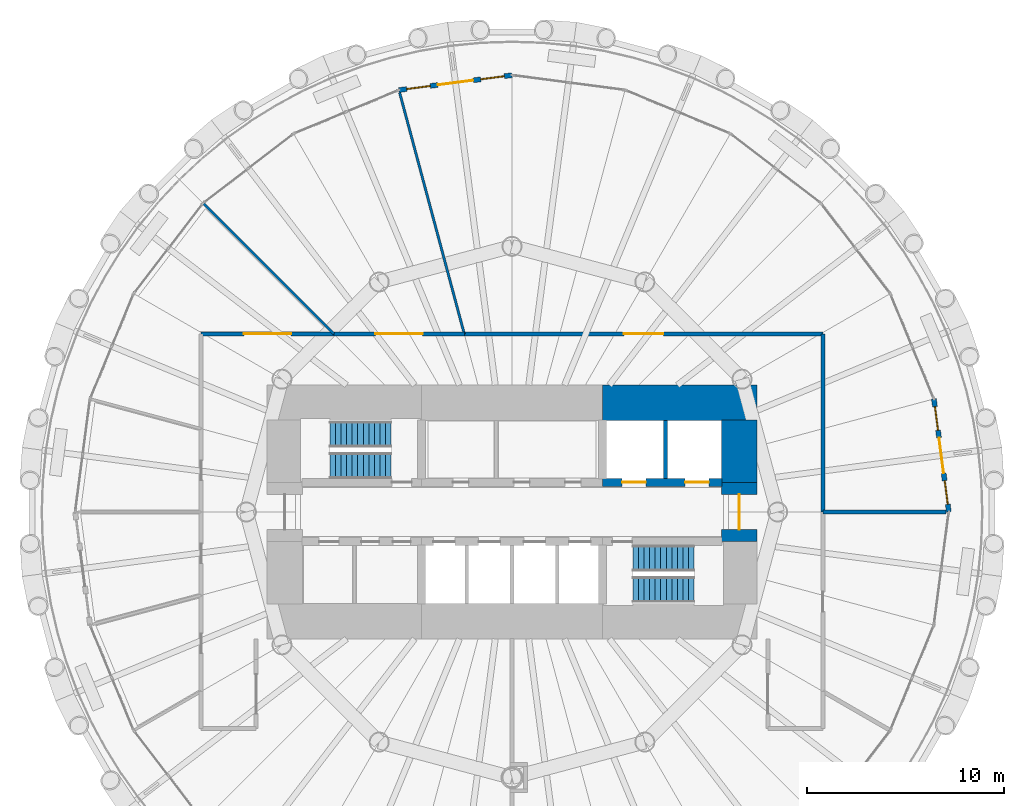
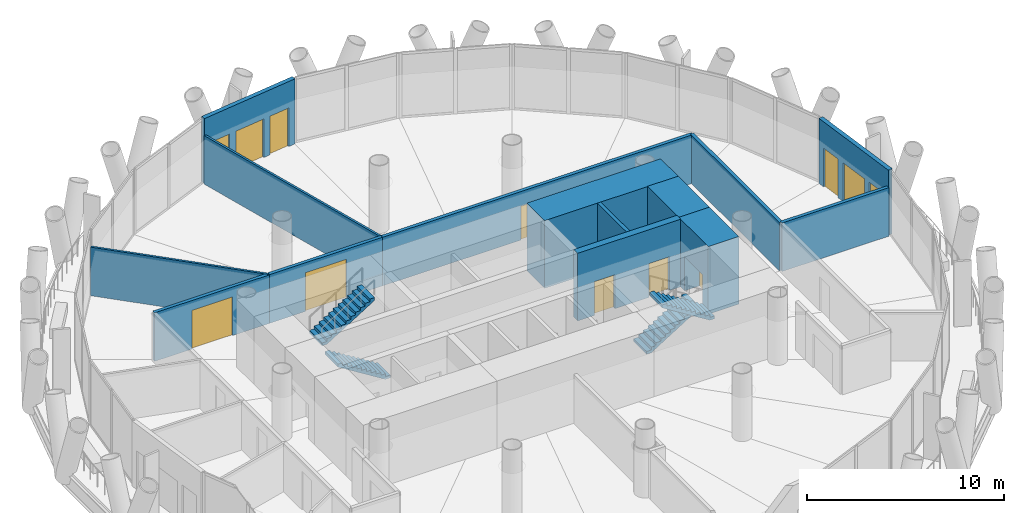
# One storey, part 10 of 14: 14 walls, 8 doors, 4 stair flights, 4 windows, 12 openings, 2 elements without a shape of their own.
"""IFC4 building model written with IfcOpenShell, lengths in metres."""

from ifc_helpers import new_model, si_unit, direction, frame, frame_2d, origin, place, context, subcontext, project, spatial, polyline, rectangle, outline, extrude, material, layer, layer_set, type_object, element, fill, aggregate, save


model = new_model("IFC4")

# Units and contexts
model_context = context("Model", 3, precision=1e-05, world=origin(), true_north=direction((0.0, 1.0)))
body_context = subcontext(model_context, "Body", "Model", "MODEL_VIEW")
ifc_project = project(units=[si_unit("LENGTHUNIT", "METRE"), si_unit("AREAUNIT", "SQUARE_METRE"), si_unit("VOLUMEUNIT", "CUBIC_METRE"), si_unit("PLANEANGLEUNIT", "RADIAN"), si_unit("MASSUNIT", "GRAM", prefix="KILO")], contexts=[model_context])

# Site, building, storey
site_placement = place(None, origin())
site = spatial("IfcSite", under=ifc_project, at=site_placement, CompositionType="ELEMENT")
building_placement = place(site_placement, origin())
building = spatial("IfcBuilding", under=site, at=building_placement, Name="Qaws Media Tower", CompositionType="ELEMENT")
storey_placement = place(building_placement, frame((0.0, 0.0, 168.800048828125)))
storey = spatial("IfcBuildingStorey", under=building, at=storey_placement, Name="L38", CompositionType="ELEMENT", Elevation=168.800048828125)

# Wall, openings, door, windows
ifc_material_1 = material(Name="Precast concrete, exposed finish", Category="concrete")
ifc_layer_1 = layer(ifc_material_1, 0.25)
ifc_layer_set_1 = layer_set([ifc_layer_1], Name="Balcony door wall 250")
wall_type_1 = type_object("IfcWallType", Name="Balcony door wall 250", PredefinedType="SOLIDWALL", material=ifc_layer_set_1)
wall_1_placement = place(storey_placement, frame((82.199951171875, 50.0, 0.0), z_axis=(0.0, 0.0, 1.0), x_axis=(-0.130507908945, 0.991447268241, 0.0)))
wall_1 = element("IfcWall", 1, at=wall_1_placement, inside=storey, type_object=wall_type_1, Name="W213 EW1 balcony door wall L38-01", PredefinedType="SOLIDWALL", context=body_context, shape_type="SweptSolid", body=[
    extrude(rectangle(XDim=5.79541015625, YDim=0.25, at=frame_2d((2.897705078125, 0.0))), origin(), (0.0, 0.0, 1.0), 4.0400390625),
])
opening_1_placement = place(wall_1_placement, frame((1.997802734375, 0.0, 0.0)))
opening_1 = element("IfcOpeningElement", 2, at=opening_1_placement, cuts=wall_1, Name="Opening D7", PredefinedType="OPENING", context=body_context, shape_type="SweptSolid", body=[
    extrude(rectangle(XDim=1.800048828125, YDim=2.39990234375, at=frame_2d((0.89990234375, 1.199951171875))), frame((0.0, 0.135009765625, 0.0), z_axis=(0.0, -1.0, 0.0), x_axis=(1.0, 0.0, 0.0)), (0.0, 0.0, 1.0), 0.27001953125),
])
opening_2_placement = place(wall_1_placement, frame((0.397705078125, 0.0, 0.0)))
opening_2 = element("IfcOpeningElement", 3, at=opening_2_placement, cuts=wall_1, Name="Opening W1", PredefinedType="OPENING", context=body_context, shape_type="SweptSolid", body=[
    extrude(rectangle(XDim=1.199951171875, YDim=2.39990234375, at=frame_2d((0.60009765625, 1.199951171875))), frame((0.0, 0.135009765625, 0.0), z_axis=(0.0, -1.0, 0.0), x_axis=(1.0, 0.0, 0.0)), (0.0, 0.0, 1.0), 0.27001953125),
])
opening_3_placement = place(wall_1_placement, frame((4.19775390625, 0.0, 0.0)))
opening_3 = element("IfcOpeningElement", 4, at=opening_3_placement, cuts=wall_1, Name="Opening W1", PredefinedType="OPENING", context=body_context, shape_type="SweptSolid", body=[
    extrude(rectangle(XDim=1.199951171875, YDim=2.39990234375, at=frame_2d((0.60009765625, 1.199951171875))), frame((0.0, 0.135009765625, 0.0), z_axis=(0.0, -1.0, 0.0), x_axis=(1.0, 0.0, 0.0)), (0.0, 0.0, 1.0), 0.27001953125),
])
ifc_material_2 = material(Name="Aluminium and clear glass", Category="aluminium")
door_type_1 = type_object("IfcDoorType", Name="Balcony door pair 1800", OperationType="DOUBLE_DOOR_SLIDING", PredefinedType="DOOR", material=ifc_material_2)
door_1_placement = place(opening_1_placement, origin())
door_1 = element("IfcDoor", 5, at=door_1_placement, inside=storey, type_object=door_type_1, Name="D7 balcony door L38-01 in wall W213", OperationType="DOUBLE_DOOR_SLIDING", OverallHeight=2.39990234375, OverallWidth=1.800048828125, PredefinedType="DOOR", context=body_context, shape_type="SweptSolid", body=[
    extrude(rectangle(XDim=1.800048828125, YDim=2.39990234375, at=frame_2d((0.89990234375, 1.199951171875))), frame((0.0, 0.02490234375, 0.0), z_axis=(0.0, -1.0, 0.0), x_axis=(1.0, 0.0, 0.0)), (0.0, 0.0, 1.0), 0.050048828125),
])
fill(opening_1, door_1)
ifc_material_3 = material(Name="Aluminium and clear glass", Category="aluminium")
window_type = type_object("IfcWindowType", Name="Balcony side window 1200", PartitioningType="SINGLE_PANEL", PredefinedType="WINDOW", material=ifc_material_3)
window_1_placement = place(opening_2_placement, origin())
window_1 = element("IfcWindow", 6, at=window_1_placement, inside=storey, type_object=window_type, Name="W1 balcony side light L38-01L", OverallHeight=2.39990234375, OverallWidth=1.199951171875, PartitioningType="SINGLE_PANEL", PredefinedType="WINDOW", context=body_context, shape_type="SweptSolid", body=[
    extrude(rectangle(XDim=1.199951171875, YDim=2.39990234375, at=frame_2d((0.60009765625, 1.199951171875))), frame((0.0, 0.030029296875, 0.0), z_axis=(0.0, -1.0, 0.0), x_axis=(1.0, 0.0, 0.0)), (0.0, 0.0, 1.0), 0.06005859375),
])
fill(opening_2, window_1)
window_2_placement = place(opening_3_placement, origin())
window_2 = element("IfcWindow", 7, at=window_2_placement, inside=storey, type_object=window_type, Name="W1 balcony side light L38-01R", OverallHeight=2.39990234375, OverallWidth=1.199951171875, PartitioningType="SINGLE_PANEL", PredefinedType="WINDOW", context=body_context, shape_type="SweptSolid", body=[
    extrude(rectangle(XDim=1.199951171875, YDim=2.39990234375, at=frame_2d((0.60009765625, 1.199951171875))), frame((0.0, 0.030029296875, 0.0), z_axis=(0.0, -1.0, 0.0), x_axis=(1.0, 0.0, 0.0)), (0.0, 0.0, 1.0), 0.06005859375),
])
fill(opening_3, window_2)

wall_2_placement = place(storey_placement, frame((60.0, 72.199951171875, 0.0), z_axis=(0.0, 0.0, 1.0), x_axis=(-0.991447268241, -0.130507908945, 0.0)))
wall_2 = element("IfcWall", 8, at=wall_2_placement, inside=storey, type_object=wall_type_1, Name="W212 EW1 balcony door wall L38-07", PredefinedType="SOLIDWALL", context=body_context, shape_type="SweptSolid", body=[
    extrude(rectangle(XDim=5.79541015625, YDim=0.25, at=frame_2d((2.897705078125, 0.0))), origin(), (0.0, 0.0, 1.0), 4.0400390625),
])
opening_4_placement = place(wall_2_placement, frame((1.997802734375, 0.0, 0.0)))
opening_4 = element("IfcOpeningElement", 9, at=opening_4_placement, cuts=wall_2, Name="Opening D7", PredefinedType="OPENING", context=body_context, shape_type="SweptSolid", body=[
    extrude(rectangle(XDim=1.800048828125, YDim=2.39990234375, at=frame_2d((0.89990234375, 1.199951171875))), frame((0.0, 0.135009765625, 0.0), z_axis=(0.0, -1.0, 0.0), x_axis=(1.0, 0.0, 0.0)), (0.0, 0.0, 1.0), 0.27001953125),
])
opening_5_placement = place(wall_2_placement, frame((0.397705078125, 0.0, 0.0)))
opening_5 = element("IfcOpeningElement", 10, at=opening_5_placement, cuts=wall_2, Name="Opening W1", PredefinedType="OPENING", context=body_context, shape_type="SweptSolid", body=[
    extrude(rectangle(XDim=1.199951171875, YDim=2.39990234375, at=frame_2d((0.60009765625, 1.199951171875))), frame((0.0, 0.135009765625, 0.0), z_axis=(0.0, -1.0, 0.0), x_axis=(1.0, 0.0, 0.0)), (0.0, 0.0, 1.0), 0.27001953125),
])
opening_6_placement = place(wall_2_placement, frame((4.19775390625, 0.0, 0.0)))
opening_6 = element("IfcOpeningElement", 11, at=opening_6_placement, cuts=wall_2, Name="Opening W1", PredefinedType="OPENING", context=body_context, shape_type="SweptSolid", body=[
    extrude(rectangle(XDim=1.199951171875, YDim=2.39990234375, at=frame_2d((0.60009765625, 1.199951171875))), frame((0.0, 0.135009765625, 0.0), z_axis=(0.0, -1.0, 0.0), x_axis=(1.0, 0.0, 0.0)), (0.0, 0.0, 1.0), 0.27001953125),
])
door_2_placement = place(opening_4_placement, origin())
door_2 = element("IfcDoor", 12, at=door_2_placement, inside=storey, type_object=door_type_1, Name="D7 balcony door L38-07 in wall W212", OperationType="DOUBLE_DOOR_SLIDING", OverallHeight=2.39990234375, OverallWidth=1.800048828125, PredefinedType="DOOR", context=body_context, shape_type="SweptSolid", body=[
    extrude(rectangle(XDim=1.800048828125, YDim=2.39990234375, at=frame_2d((0.89990234375, 1.199951171875))), frame((0.0, 0.02490234375, 0.0), z_axis=(0.0, -1.0, 0.0), x_axis=(1.0, 0.0, 0.0)), (0.0, 0.0, 1.0), 0.050048828125),
])
fill(opening_4, door_2)
window_3_placement = place(opening_5_placement, origin())
window_3 = element("IfcWindow", 13, at=window_3_placement, inside=storey, type_object=window_type, Name="W1 balcony side light L38-07L", OverallHeight=2.39990234375, OverallWidth=1.199951171875, PartitioningType="SINGLE_PANEL", PredefinedType="WINDOW", context=body_context, shape_type="SweptSolid", body=[
    extrude(rectangle(XDim=1.199951171875, YDim=2.39990234375, at=frame_2d((0.60009765625, 1.199951171875))), frame((0.0, 0.030029296875, 0.0), z_axis=(0.0, -1.0, 0.0), x_axis=(1.0, 0.0, 0.0)), (0.0, 0.0, 1.0), 0.06005859375),
])
fill(opening_5, window_3)
window_4_placement = place(opening_6_placement, origin())
window_4 = element("IfcWindow", 14, at=window_4_placement, inside=storey, type_object=window_type, Name="W1 balcony side light L38-07R", OverallHeight=2.39990234375, OverallWidth=1.199951171875, PartitioningType="SINGLE_PANEL", PredefinedType="WINDOW", context=body_context, shape_type="SweptSolid", body=[
    extrude(rectangle(XDim=1.199951171875, YDim=2.39990234375, at=frame_2d((0.60009765625, 1.199951171875))), frame((0.0, 0.030029296875, 0.0), z_axis=(0.0, -1.0, 0.0), x_axis=(1.0, 0.0, 0.0)), (0.0, 0.0, 1.0), 0.06005859375),
])
fill(opening_6, window_4)

# Wall, openings, doors
ifc_material_4 = material(Name="Concrete C60/75", Category="concrete")
ifc_layer_2 = layer(ifc_material_4, 0.39990234375)
ifc_layer_set_2 = layer_set([ifc_layer_2], Name="Core inner wall 400")
wall_type_2 = type_object("IfcWallType", Name="Core inner wall 400", PredefinedType="SHEAR", material=ifc_layer_set_2)
wall_3_placement = place(storey_placement, frame((64.60009765625, 51.5, 0.0), z_axis=(0.0, 0.0, 1.0), x_axis=(1.0, 0.0, 0.0)))
wall_3 = element("IfcWall", 15, at=wall_3_placement, inside=storey, type_object=wall_type_2, Name="W326 SW4 core wall SPNE L38", PredefinedType="SHEAR", context=body_context, shape_type="SweptSolid", body=[
    extrude(rectangle(XDim=6.06982421875, YDim=0.39990234375, at=frame_2d((3.034912109375, 0.0))), origin(), (0.0, 0.0, 1.0), 4.199951171875),
])
opening_7_placement = place(wall_3_placement, frame((1.0, 0.0, 0.0)))
opening_7 = element("IfcOpeningElement", 16, at=opening_7_placement, cuts=wall_3, Name="Opening LD2", PredefinedType="OPENING", context=body_context, shape_type="SweptSolid", body=[
    extrude(rectangle(XDim=1.199951171875, YDim=2.10009765625, at=frame_2d((0.60009765625, 1.050048828125))), frame((0.0, 0.2099609375, 0.0), z_axis=(0.0, -1.0, 0.0), x_axis=(1.0, 0.0, 0.0)), (0.0, 0.0, 1.0), 0.419921875),
])
opening_8_placement = place(wall_3_placement, frame((4.199951171875, 0.0, 0.0)))
opening_8 = element("IfcOpeningElement", 17, at=opening_8_placement, cuts=wall_3, Name="Opening LD2", PredefinedType="OPENING", context=body_context, shape_type="SweptSolid", body=[
    extrude(rectangle(XDim=1.199951171875, YDim=2.10009765625, at=frame_2d((0.60009765625, 1.050048828125))), frame((0.0, 0.2099609375, 0.0), z_axis=(0.0, -1.0, 0.0), x_axis=(1.0, 0.0, 0.0)), (0.0, 0.0, 1.0), 0.419921875),
])
ifc_material_5 = material(Name="Steel, fire rated", Category="steel")
door_type_2 = type_object("IfcDoorType", Name="Lift landing door 1200", OperationType="SLIDING_TO_LEFT", PredefinedType="DOOR", material=ifc_material_5)
door_3_placement = place(opening_7_placement, origin())
door_3 = element("IfcDoor", 18, at=door_3_placement, inside=storey, type_object=door_type_2, Name="FL1 landing door L38 in wall W326", OperationType="SLIDING_TO_LEFT", OverallHeight=2.10009765625, OverallWidth=1.199951171875, PredefinedType="DOOR", context=body_context, shape_type="SweptSolid", body=[
    extrude(rectangle(XDim=1.199951171875, YDim=2.10009765625, at=frame_2d((0.60009765625, 1.050048828125))), frame((0.0, 0.02490234375, 0.0), z_axis=(0.0, -1.0, 0.0), x_axis=(1.0, 0.0, 0.0)), (0.0, 0.0, 1.0), 0.050048828125),
])
fill(opening_7, door_3)
door_4_placement = place(opening_8_placement, origin())
door_4 = element("IfcDoor", 19, at=door_4_placement, inside=storey, type_object=door_type_2, Name="FL2 landing door L38 in wall W326", OperationType="SLIDING_TO_LEFT", OverallHeight=2.10009765625, OverallWidth=1.199951171875, PredefinedType="DOOR", context=body_context, shape_type="SweptSolid", body=[
    extrude(rectangle(XDim=1.199951171875, YDim=2.10009765625, at=frame_2d((0.60009765625, 1.050048828125))), frame((0.0, 0.02490234375, 0.0), z_axis=(0.0, -1.0, 0.0), x_axis=(1.0, 0.0, 0.0)), (0.0, 0.0, 1.0), 0.050048828125),
])
fill(opening_8, door_4)

# Wall
ifc_material_6 = material(Name="Concrete C60/75", Category="concrete")
ifc_layer_3 = layer(ifc_material_6, 1.800048828125)
ifc_layer_set_3 = layer_set([ifc_layer_3], Name="Core wall 1800")
wall_type_3 = type_object("IfcWallType", Name="Core wall 1800", PredefinedType="SHEAR", material=ifc_layer_set_3)
wall_4_placement = place(storey_placement, frame((64.60009765625, 55.550048828125, 0.0), z_axis=(0.0, 0.0, 1.0), x_axis=(1.0, 0.0, 0.0)))
element("IfcWall", 20, at=wall_4_placement, inside=storey, type_object=wall_type_3, Name="W423 SW11 core wall NE L38", PredefinedType="SHEAR", context=body_context, shape_type="SweptSolid", body=[
    extrude(rectangle(XDim=7.849853515625, YDim=1.800048828125, at=frame_2d((3.9248046875, 0.0))), origin(), (0.0, 0.0, 1.0), 4.199951171875),
])

# Wall, opening, door
wall_5_placement = place(storey_placement, frame((71.550048828125, 48.5, 0.0), z_axis=(0.0, 0.0, 1.0), x_axis=(0.0, 1.0, 0.0)))
wall_5 = element("IfcWall", 21, at=wall_5_placement, inside=storey, type_object=wall_type_3, Name="W427 SW11 core wall E L38", PredefinedType="SHEAR", context=body_context, shape_type="SweptSolid", body=[
    extrude(rectangle(XDim=3.0, YDim=1.800048828125, at=frame_2d((1.5, 0.0))), origin(), (0.0, 0.0, 1.0), 4.199951171875),
])
opening_9_placement = place(wall_5_placement, frame((0.60009765625, 0.0, 0.0)))
opening_9 = element("IfcOpeningElement", 22, at=opening_9_placement, cuts=wall_5, Name="Opening D2", PredefinedType="OPENING", context=body_context, shape_type="SweptSolid", body=[
    extrude(rectangle(XDim=1.800048828125, YDim=2.10009765625, at=frame_2d((0.89990234375, 1.050048828125))), frame((0.0, 0.909912109375, 0.0), z_axis=(0.0, -1.0, 0.0), x_axis=(1.0, 0.0, 0.0)), (0.0, 0.0, 1.0), 1.820068359375),
])
ifc_material_7 = material(Name="Steel and glass, fire rated", Category="steel")
door_type_3 = type_object("IfcDoorType", Name="Lobby door pair 1800 FD60", OperationType="DOUBLE_DOOR_DOUBLE_SWING", PredefinedType="DOOR", material=ifc_material_7)
door_5_placement = place(opening_9_placement, origin())
door_5 = element("IfcDoor", 23, at=door_5_placement, inside=storey, type_object=door_type_3, Name="D2 core lobby door E L38 in wall W427", OperationType="DOUBLE_DOOR_DOUBLE_SWING", OverallHeight=2.10009765625, OverallWidth=1.800048828125, PredefinedType="DOOR", context=body_context, shape_type="SweptSolid", body=[
    extrude(rectangle(XDim=1.800048828125, YDim=2.10009765625, at=frame_2d((0.89990234375, 1.050048828125))), frame((0.0, 0.02490234375, 0.0), z_axis=(0.0, -1.0, 0.0), x_axis=(1.0, 0.0, 0.0)), (0.0, 0.0, 1.0), 0.050048828125),
])
fill(opening_9, door_5)

# Walls
wall_6_placement = place(storey_placement, frame((71.550048828125, 51.5, 0.0), z_axis=(0.0, 0.0, 1.0), x_axis=(0.0, 1.0, 0.0)))
element("IfcWall", 24, at=wall_6_placement, inside=storey, type_object=wall_type_3, Name="W425 SW11 core wall EN L38", PredefinedType="SHEAR", context=body_context, shape_type="SweptSolid", body=[
    extrude(rectangle(XDim=3.169921875, YDim=1.800048828125, at=frame_2d((1.5849609375, 0.0))), origin(), (0.0, 0.0, 1.0), 4.199951171875),
])
ifc_material_8 = material(Name="Two layers gypsum board each side on 75 studs, insulated", Category="gypsum")
ifc_layer_4 = layer(ifc_material_8, 0.125)
ifc_layer_set_4 = layer_set([ifc_layer_4], Name="Meeting room partition 125 Rw 48")
wall_type_4 = type_object("IfcWallType", Name="Meeting room partition 125 Rw 48", PredefinedType="PARTITIONING", material=ifc_layer_set_4)
wall_7_placement = place(storey_placement, frame((57.577392578125, 59.041015625, 0.0), z_axis=(0.0, 0.0, 1.0), x_axis=(-0.258807511023, 0.965928916763, 0.0)))
element("IfcWall", 25, at=wall_7_placement, inside=storey, type_object=wall_type_4, Name="W583 IW5 partition L38", PredefinedType="PARTITIONING", context=body_context, shape_type="SweptSolid", body=[
    extrude(rectangle(XDim=12.699951171875, YDim=0.125, at=frame_2d((6.35009765625, 0.0))), origin(), (0.0, 0.0, 1.0), 3.011962890625),
])
wall_8_placement = place(storey_placement, frame((50.948974609375, 59.051025390625, 0.0), z_axis=(0.0, 0.0, 1.0), x_axis=(-0.707106781187, 0.707106781187, 0.0)))
element("IfcWall", 26, at=wall_8_placement, inside=storey, type_object=wall_type_4, Name="W582 IW5 partition L38", PredefinedType="PARTITIONING", context=body_context, shape_type="SweptSolid", body=[
    extrude(rectangle(XDim=9.35986328125, YDim=0.125, at=frame_2d((4.679931640625, 0.0))), origin(), (0.0, 0.0, 1.0), 3.011962890625),
])

# Wall, opening, door
ifc_material_9 = material(Name="Gypsum board on galvanised metal studs, acoustic double stud, deflection head", Category="gypsum")
ifc_layer_5 = layer(ifc_material_9, 0.199951171875)
ifc_layer_set_5 = layer_set([ifc_layer_5], Name="Room partition 200")
wall_type_5 = type_object("IfcWallType", Name="Room partition 200", PredefinedType="PARTITIONING", material=ifc_layer_set_5)
wall_9_placement = place(storey_placement, frame((44.199951171875, 59.050048828125, 0.0), z_axis=(0.0, 0.0, 1.0), x_axis=(1.0, 0.0, 0.0)))
wall_9 = element("IfcWall", 27, at=wall_9_placement, inside=storey, type_object=wall_type_5, Name="W1365 IW3 partition L38", PredefinedType="PARTITIONING", context=body_context, shape_type="SweptSolid", body=[
    extrude(rectangle(XDim=6.75, YDim=0.199951171875, at=frame_2d((3.375, 0.0))), origin(), (0.0, 0.0, 1.0), 3.011962890625),
])
opening_10_placement = place(wall_9_placement, frame((2.175048828125, 0.0, 0.0)))
opening_10 = element("IfcOpeningElement", 28, at=opening_10_placement, cuts=wall_9, Name="Opening D17", PredefinedType="OPENING", context=body_context, shape_type="SweptSolid", body=[
    extrude(rectangle(XDim=2.39990234375, YDim=2.39990234375, at=frame_2d((1.199951171875, 1.199951171875))), frame((0.0, 0.10986328125, 0.0), z_axis=(0.0, -1.0, 0.0), x_axis=(1.0, 0.0, 0.0)), (0.0, 0.0, 1.0), 0.219970703125),
])
ifc_material_10 = material(Name="Timber veneered, panic hardware", Category="wood")
door_type_4 = type_object("IfcDoorType", Name="Assembly room door pair 2400x2400", OperationType="DOUBLE_DOOR_DOUBLE_SWING", PredefinedType="DOOR", material=ifc_material_10)
door_6_placement = place(opening_10_placement, origin())
door_6 = element("IfcDoor", 29, at=door_6_placement, inside=storey, type_object=door_type_4, Name="D17 Training room door L38 in wall W1365", OperationType="DOUBLE_DOOR_DOUBLE_SWING", OverallHeight=2.39990234375, OverallWidth=2.39990234375, PredefinedType="DOOR", context=body_context, shape_type="SweptSolid", body=[
    extrude(rectangle(XDim=2.39990234375, YDim=2.39990234375, at=frame_2d((1.199951171875, 1.199951171875))), frame((0.0, 0.02490234375, 0.0), z_axis=(0.0, -1.0, 0.0), x_axis=(1.0, 0.0, 0.0)), (0.0, 0.0, 1.0), 0.050048828125),
])
fill(opening_10, door_6)

wall_10_placement = place(storey_placement, frame((50.949951171875, 59.050048828125, 0.0), z_axis=(0.0, 0.0, 1.0), x_axis=(1.0, 0.0, 0.0)))
wall_10 = element("IfcWall", 30, at=wall_10_placement, inside=storey, type_object=wall_type_5, Name="W1368 IW3 partition L38", PredefinedType="PARTITIONING", context=body_context, shape_type="SweptSolid", body=[
    extrude(rectangle(XDim=6.625244140625, YDim=0.199951171875, at=frame_2d((3.3125, 0.0))), origin(), (0.0, 0.0, 1.0), 3.02001953125),
])
opening_11_placement = place(wall_10_placement, frame((2.112548828125, 0.0, 0.0)))
opening_11 = element("IfcOpeningElement", 31, at=opening_11_placement, cuts=wall_10, Name="Opening D17", PredefinedType="OPENING", context=body_context, shape_type="SweptSolid", body=[
    extrude(rectangle(XDim=2.39990234375, YDim=2.39990234375, at=frame_2d((1.199951171875, 1.199951171875))), frame((0.0, 0.10986328125, 0.0), z_axis=(0.0, -1.0, 0.0), x_axis=(1.0, 0.0, 0.0)), (0.0, 0.0, 1.0), 0.219970703125),
])
door_7_placement = place(opening_11_placement, origin())
door_7 = element("IfcDoor", 32, at=door_7_placement, inside=storey, type_object=door_type_4, Name="D17 Training room door L38 in wall W1368", OperationType="DOUBLE_DOOR_DOUBLE_SWING", OverallHeight=2.39990234375, OverallWidth=2.39990234375, PredefinedType="DOOR", context=body_context, shape_type="SweptSolid", body=[
    extrude(rectangle(XDim=2.39990234375, YDim=2.39990234375, at=frame_2d((1.199951171875, 1.199951171875))), frame((0.0, 0.02490234375, 0.0), z_axis=(0.0, -1.0, 0.0), x_axis=(1.0, 0.0, 0.0)), (0.0, 0.0, 1.0), 0.050048828125),
])
fill(opening_11, door_7)

wall_11_placement = place(storey_placement, frame((57.5751953125, 59.050048828125, 0.0), z_axis=(0.0, 0.0, 1.0), x_axis=(1.0, 0.0, 0.0)))
wall_11 = element("IfcWall", 33, at=wall_11_placement, inside=storey, type_object=wall_type_5, Name="W1369 IW3 partition L38", PredefinedType="PARTITIONING", context=body_context, shape_type="SweptSolid", body=[
    extrude(rectangle(XDim=18.224853515625, YDim=0.199951171875, at=frame_2d((9.1123046875, 0.0))), origin(), (0.0, 0.0, 1.0), 3.011962890625),
])
opening_12_placement = place(wall_11_placement, frame((8.112548828125, 0.0, 0.0)))
opening_12 = element("IfcOpeningElement", 34, at=opening_12_placement, cuts=wall_11, Name="Opening D6", PredefinedType="OPENING", context=body_context, shape_type="SweptSolid", body=[
    extrude(rectangle(XDim=2.0, YDim=2.10009765625, at=frame_2d((1.0, 1.050048828125))), frame((0.0, 0.10986328125, 0.0), z_axis=(0.0, -1.0, 0.0), x_axis=(1.0, 0.0, 0.0)), (0.0, 0.0, 1.0), 0.219970703125),
])
ifc_material_11 = material(Name="Steel, acoustic, fire rated", Category="steel")
door_type_5 = type_object("IfcDoorType", Name="Room door pair 2000", OperationType="DOUBLE_DOOR_DOUBLE_SWING", PredefinedType="DOOR", material=ifc_material_11)
door_8_placement = place(opening_12_placement, origin())
door_8 = element("IfcDoor", 35, at=door_8_placement, inside=storey, type_object=door_type_5, Name="D6 HR office door L38 in wall W1369", OperationType="DOUBLE_DOOR_DOUBLE_SWING", OverallHeight=2.10009765625, OverallWidth=2.0, PredefinedType="DOOR", context=body_context, shape_type="SweptSolid", body=[
    extrude(rectangle(XDim=2.0, YDim=2.10009765625, at=frame_2d((1.0, 1.050048828125))), frame((0.0, 0.02490234375, 0.0), z_axis=(0.0, -1.0, 0.0), x_axis=(1.0, 0.0, 0.0)), (0.0, 0.0, 1.0), 0.050048828125),
])
fill(opening_12, door_8)

# Walls
wall_12_placement = place(storey_placement, frame((75.800048828125, 59.050048828125, 0.0), z_axis=(0.0, 0.0, 1.0), x_axis=(0.0, -1.0, 0.0)))
element("IfcWall", 36, at=wall_12_placement, inside=storey, type_object=wall_type_5, Name="W1377 IW3 partition L38", PredefinedType="PARTITIONING", context=body_context, shape_type="SweptSolid", body=[
    extrude(rectangle(XDim=9.050048828125, YDim=0.199951171875, at=frame_2d((4.52490234375, 0.0))), origin(), (0.0, 0.0, 1.0), 3.011962890625),
])
wall_13_placement = place(storey_placement, frame((75.800048828125, 50.0, 0.0), z_axis=(0.0, 0.0, 1.0), x_axis=(1.0, 0.0, 0.0)))
element("IfcWall", 37, at=wall_13_placement, inside=storey, type_object=wall_type_5, Name="W1385 IW3 partition L38", PredefinedType="PARTITIONING", context=body_context, shape_type="SweptSolid", body=[
    extrude(rectangle(XDim=6.260009765625, YDim=0.199951171875, at=frame_2d((3.1298828125, 0.0))), origin(), (0.0, 0.0, 1.0), 3.011962890625),
])
ifc_material_12 = material(Name="Fire-rated gypsum board shaft wall on galvanised metal studs, deflection head", Category="gypsum")
ifc_layer_6 = layer(ifc_material_12, 0.199951171875)
ifc_layer_set_6 = layer_set([ifc_layer_6], Name="Shaft wall 200")
wall_type_6 = type_object("IfcWallType", Name="Shaft wall 200", PredefinedType="PARTITIONING", material=ifc_layer_set_6)
wall_14_placement = place(storey_placement, frame((67.800048828125, 51.699951171875, 0.0), z_axis=(0.0, 0.0, 1.0), x_axis=(0.0, 1.0, 0.0)))
element("IfcWall", 38, at=wall_14_placement, inside=storey, type_object=wall_type_6, Name="W1863 IW1 shaft wall FL L38", PredefinedType="PARTITIONING", context=body_context, shape_type="SweptSolid", body=[
    extrude(rectangle(XDim=2.949951171875, YDim=0.199951171875, at=frame_2d((1.47509765625, 0.0))), origin(), (0.0, 0.0, 1.0), 4.199951171875),
])

# Stair, stair flights
ifc_material_13 = material(Name="Concrete C40/50", Category="concrete")
stair_type = type_object("IfcStairType", Name="Exit stair", PredefinedType="HALF_TURN_STAIR", material=ifc_material_13)
stair_1_placement = place(storey_placement, origin())
stair_1 = element("IfcStair", 39, at=stair_1_placement, inside=storey, type_object=stair_type, Name="S1 exit stair L38", PredefinedType="HALF_TURN_STAIR")
ifc_material_14 = material(Name="Concrete C40/50", Category="concrete")
stair_flight_type = type_object("IfcStairFlightType", Name="Stair flight 1310", PredefinedType="STRAIGHT", material=ifc_material_14)
stair_flight_1_placement = place(storey_placement, frame((53.840087890625, 52.35498046875, 0.0), z_axis=(0.0, 0.0, 1.0), x_axis=(-1.0, 0.0, 0.0)))
stair_flight_1 = element("IfcStairFlight", 40, at=stair_flight_1_placement, type_object=stair_flight_type, Name="S1 flight 1", NumberOfRisers=12, NumberOfTreads=11, PredefinedType="STRAIGHT", RiserHeight=0.175, TreadLength=0.28, context=body_context, shape_type="SweptSolid", body=[
    extrude(outline(polyline([(0.0, 0.0), (0.0, 0.175048828125), (0.280029296875, 0.175048828125), (0.280029296875, 0.35009765625), (0.56005859375, 0.35009765625), (0.56005859375, 0.52490234375), (0.840087890625, 0.52490234375), (0.840087890625, 0.699951171875), (1.1201171875, 0.699951171875), (1.1201171875, 0.875), (1.39990234375, 0.875), (1.39990234375, 1.050048828125), (1.679931640625, 1.050048828125), (1.679931640625, 1.22509765625), (1.9599609375, 1.22509765625), (1.9599609375, 1.39990234375), (2.239990234375, 1.39990234375), (2.239990234375, 1.574951171875), (2.52001953125, 1.574951171875), (2.52001953125, 1.75), (2.800048828125, 1.75), (2.800048828125, 1.925048828125), (3.080078125, 1.925048828125), (3.080078125, 2.10009765625), (3.080078125, 1.748291015625), (0.28271484375, 0.0), (0.0, 0.0)])), frame((0.0, 0.655029296875, 0.0), z_axis=(0.0, -1.0, 0.0), x_axis=(1.0, 0.0, 0.0)), (0.0, 0.0, 1.0), 1.31005859375),
])
stair_flight_2_placement = place(storey_placement, frame((50.760009765625, 53.945068359375, 2.099853515625), z_axis=(0.0, 0.0, 1.0), x_axis=(1.0, 0.0, 0.0)))
stair_flight_2 = element("IfcStairFlight", 41, at=stair_flight_2_placement, type_object=stair_flight_type, Name="S1 flight 2", NumberOfRisers=12, NumberOfTreads=11, PredefinedType="STRAIGHT", RiserHeight=0.175, TreadLength=0.28, context=body_context, shape_type="SweptSolid", body=[
    extrude(outline(polyline([(0.0, 0.0), (0.0, 0.175048828125), (0.280029296875, 0.175048828125), (0.280029296875, 0.35009765625), (0.56005859375, 0.35009765625), (0.56005859375, 0.52490234375), (0.840087890625, 0.52490234375), (0.840087890625, 0.699951171875), (1.1201171875, 0.699951171875), (1.1201171875, 0.875), (1.39990234375, 0.875), (1.39990234375, 1.050048828125), (1.679931640625, 1.050048828125), (1.679931640625, 1.22509765625), (1.9599609375, 1.22509765625), (1.9599609375, 1.39990234375), (2.239990234375, 1.39990234375), (2.239990234375, 1.574951171875), (2.52001953125, 1.574951171875), (2.52001953125, 1.75), (2.800048828125, 1.75), (2.800048828125, 1.925048828125), (3.080078125, 1.925048828125), (3.080078125, 2.10009765625), (3.080078125, 1.748291015625), (0.28271484375, 0.0), (0.0, 0.0)])), frame((0.0, 0.655029296875, 0.0), z_axis=(0.0, -1.0, 0.0), x_axis=(1.0, 0.0, 0.0)), (0.0, 0.0, 1.0), 1.31005859375),
])
aggregate(stair_1, [stair_flight_1, stair_flight_2])

stair_2_placement = place(storey_placement, origin())
stair_2 = element("IfcStair", 42, at=stair_2_placement, inside=storey, type_object=stair_type, Name="S2 exit stair L38", PredefinedType="HALF_TURN_STAIR")
stair_flight_3_placement = place(storey_placement, frame((66.159912109375, 47.64501953125, 0.0), z_axis=(0.0, 0.0, 1.0), x_axis=(1.0, 0.0, 0.0)))
stair_flight_3 = element("IfcStairFlight", 43, at=stair_flight_3_placement, type_object=stair_flight_type, Name="S2 flight 1", NumberOfRisers=12, NumberOfTreads=11, PredefinedType="STRAIGHT", RiserHeight=0.175, TreadLength=0.28, context=body_context, shape_type="SweptSolid", body=[
    extrude(outline(polyline([(0.0, 0.0), (0.0, 0.175048828125), (0.280029296875, 0.175048828125), (0.280029296875, 0.35009765625), (0.56005859375, 0.35009765625), (0.56005859375, 0.52490234375), (0.840087890625, 0.52490234375), (0.840087890625, 0.699951171875), (1.1201171875, 0.699951171875), (1.1201171875, 0.875), (1.39990234375, 0.875), (1.39990234375, 1.050048828125), (1.679931640625, 1.050048828125), (1.679931640625, 1.22509765625), (1.9599609375, 1.22509765625), (1.9599609375, 1.39990234375), (2.239990234375, 1.39990234375), (2.239990234375, 1.574951171875), (2.52001953125, 1.574951171875), (2.52001953125, 1.75), (2.800048828125, 1.75), (2.800048828125, 1.925048828125), (3.080078125, 1.925048828125), (3.080078125, 2.10009765625), (3.080078125, 1.748291015625), (0.28271484375, 0.0), (0.0, 0.0)])), frame((0.0, 0.655029296875, 0.0), z_axis=(0.0, -1.0, 0.0), x_axis=(1.0, 0.0, 0.0)), (0.0, 0.0, 1.0), 1.31005859375),
])
stair_flight_4_placement = place(storey_placement, frame((69.239990234375, 46.054931640625, 2.099853515625), z_axis=(0.0, 0.0, 1.0), x_axis=(-1.0, 0.0, 0.0)))
stair_flight_4 = element("IfcStairFlight", 44, at=stair_flight_4_placement, type_object=stair_flight_type, Name="S2 flight 2", NumberOfRisers=12, NumberOfTreads=11, PredefinedType="STRAIGHT", RiserHeight=0.175, TreadLength=0.28, context=body_context, shape_type="SweptSolid", body=[
    extrude(outline(polyline([(0.0, 0.0), (0.0, 0.175048828125), (0.280029296875, 0.175048828125), (0.280029296875, 0.35009765625), (0.56005859375, 0.35009765625), (0.56005859375, 0.52490234375), (0.840087890625, 0.52490234375), (0.840087890625, 0.699951171875), (1.1201171875, 0.699951171875), (1.1201171875, 0.875), (1.39990234375, 0.875), (1.39990234375, 1.050048828125), (1.679931640625, 1.050048828125), (1.679931640625, 1.22509765625), (1.9599609375, 1.22509765625), (1.9599609375, 1.39990234375), (2.239990234375, 1.39990234375), (2.239990234375, 1.574951171875), (2.52001953125, 1.574951171875), (2.52001953125, 1.75), (2.800048828125, 1.75), (2.800048828125, 1.925048828125), (3.080078125, 1.925048828125), (3.080078125, 2.10009765625), (3.080078125, 1.748291015625), (0.28271484375, 0.0), (0.0, 0.0)])), frame((0.0, 0.655029296875, 0.0), z_axis=(0.0, -1.0, 0.0), x_axis=(1.0, 0.0, 0.0)), (0.0, 0.0, 1.0), 1.31005859375),
])
aggregate(stair_2, [stair_flight_3, stair_flight_4])

save(model, "model.ifc")
